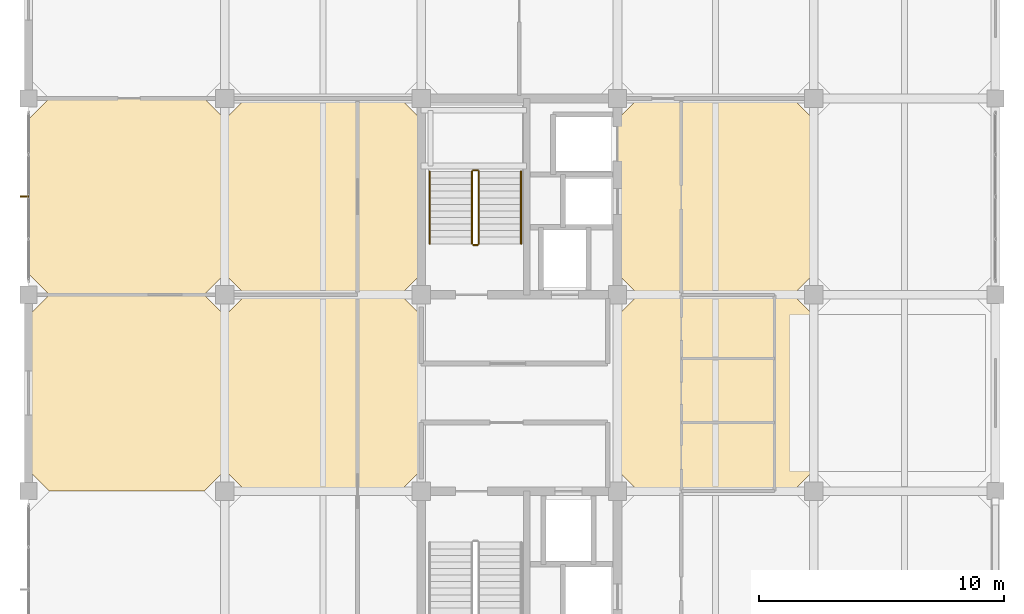
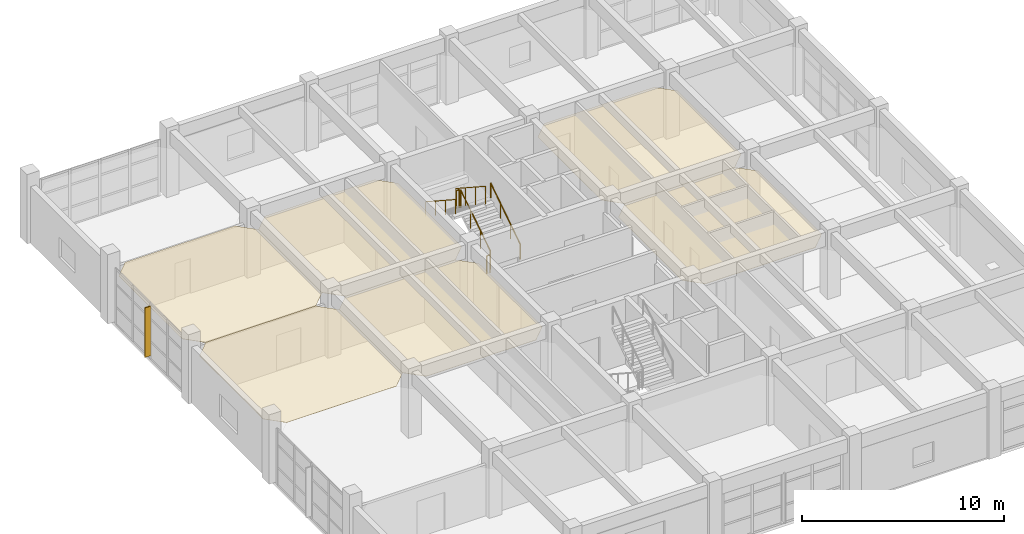
# One storey, part 25 of 27: 6 coverings, 6 railings, 1 shading device.
"""IFC4 building model written with IfcOpenShell, lengths in metres."""

from ifc_helpers import new_model, si_unit, direction, frame, origin, origin_2d, place, context, subcontext, project, spatial, polyline, rectangle, circle, outline, extrude, material, layer, layer_set, type_object, element, save


model = new_model("IFC4")

# Units and contexts
model_context = context("Model", 3, precision=1e-05, world=origin(), true_north=direction((0.0, 1.0)))
body_context = subcontext(model_context, "Body", "Model", "MODEL_VIEW")
ifc_project = project(units=[si_unit("LENGTHUNIT", "METRE"), si_unit("AREAUNIT", "SQUARE_METRE"), si_unit("VOLUMEUNIT", "CUBIC_METRE"), si_unit("PLANEANGLEUNIT", "RADIAN"), si_unit("MASSUNIT", "GRAM", prefix="KILO")], contexts=[model_context])

# Site, building, storey
site_placement = place(None, origin())
site = spatial("IfcSite", under=ifc_project, at=site_placement, CompositionType="ELEMENT")
building_placement = place(site_placement, origin())
building = spatial("IfcBuilding", under=site, at=building_placement, Name="Canggui Botanical Conservatory", CompositionType="ELEMENT")
storey_placement = place(building_placement, frame((0.0, 0.0, 36.0)))
storey = spatial("IfcBuildingStorey", under=building, at=storey_placement, Name="L09", CompositionType="ELEMENT", Elevation=36.0)

# Coverings
ifc_material_1 = material(Name="Mineral Fibre Acoustic Board")
ifc_layer_1 = layer(ifc_material_1, 0.014892578125, Name="Mineral Fibre Acoustic Board")
ifc_layer_set_1 = layer_set([ifc_layer_1], Name="Mineral Fibre Acoustic Board")
covering_type_1 = type_object("IfcCoveringType", Name="COV-CEIL-15", PredefinedType="CEILING", material=ifc_layer_set_1)
covering_1_placement = place(storey_placement, frame((0.0, 0.0, 3.094970703125)))
element("IfcCovering", 1, at=covering_1_placement, inside=storey, type_object=covering_type_1, Name="Suspended Acoustic Ceiling L09-138-50", PredefinedType="CEILING", context=body_context, shape_type="SweptSolid", body=[
    extrude(outline(polyline([(138.85009765625, 50.0), (145.14990234375, 50.0), (146.0, 50.85009765625), (146.0, 57.14990234375), (145.14990234375, 58.0), (138.85009765625, 58.0), (138.0, 57.14990234375), (138.0, 50.85009765625), (138.85009765625, 50.0)])), origin(), (0.0, 0.0, 1.0), 0.01513671875),
])
covering_2_placement = place(storey_placement, frame((0.0, 0.0, 3.094970703125)))
element("IfcCovering", 2, at=covering_2_placement, inside=storey, type_object=covering_type_1, Name="Suspended Acoustic Ceiling L09-146-58", PredefinedType="CEILING", context=body_context, shape_type="SweptSolid", body=[
    extrude(outline(polyline([(146.85009765625, 58.0), (153.14990234375, 58.0), (154.0, 58.85009765625), (154.0, 65.14990234375), (153.14990234375, 66.0), (146.85009765625, 66.0), (146.0, 65.14990234375), (146.0, 58.85009765625), (146.85009765625, 58.0)])), origin(), (0.0, 0.0, 1.0), 0.01513671875),
])
covering_3_placement = place(storey_placement, frame((0.0, 0.0, 3.094970703125)))
element("IfcCovering", 3, at=covering_3_placement, inside=storey, type_object=covering_type_1, Name="Suspended Acoustic Ceiling L09-162-58", PredefinedType="CEILING", context=body_context, shape_type="SweptSolid", body=[
    extrude(outline(polyline([(162.85009765625, 58.0), (169.14990234375, 58.0), (170.0, 58.85009765625), (170.0, 65.14990234375), (169.14990234375, 66.0), (162.85009765625, 66.0), (162.0, 65.14990234375), (162.0, 58.85009765625), (162.85009765625, 58.0)])), origin(), (0.0, 0.0, 1.0), 0.01513671875),
])
ifc_material_2 = material(Name="Perforated Gypsum Acoustic Panel")
ifc_layer_2 = layer(ifc_material_2, 0.02001953125, Name="Perforated Gypsum Acoustic Panel")
ifc_layer_set_2 = layer_set([ifc_layer_2], Name="Perforated Gypsum Acoustic Panel")
covering_type_2 = type_object("IfcCoveringType", Name="COV-CEIL-20", PredefinedType="CEILING", material=ifc_layer_set_2)
covering_4_placement = place(storey_placement, frame((0.0, 0.0, 3.090087890625)))
element("IfcCovering", 4, at=covering_4_placement, inside=storey, type_object=covering_type_2, Name="Suspended Acoustic Ceiling L09-138-58", PredefinedType="CEILING", context=body_context, shape_type="SweptSolid", body=[
    extrude(outline(polyline([(138.85009765625, 58.0), (145.14990234375, 58.0), (146.0, 58.85009765625), (146.0, 65.14990234375), (145.14990234375, 66.0), (138.85009765625, 66.0), (138.0, 65.14990234375), (138.0, 58.85009765625), (138.85009765625, 58.0)])), origin(), (0.0, 0.0, 1.0), 0.02001953125),
])
covering_5_placement = place(storey_placement, frame((0.0, 0.0, 3.090087890625)))
element("IfcCovering", 5, at=covering_5_placement, inside=storey, type_object=covering_type_2, Name="Suspended Acoustic Ceiling L09-146-50", PredefinedType="CEILING", context=body_context, shape_type="SweptSolid", body=[
    extrude(outline(polyline([(146.85009765625, 50.0), (153.14990234375, 50.0), (154.0, 50.85009765625), (154.0, 57.14990234375), (153.14990234375, 58.0), (146.85009765625, 58.0), (146.0, 57.14990234375), (146.0, 50.85009765625), (146.85009765625, 50.0)])), origin(), (0.0, 0.0, 1.0), 0.02001953125),
])
covering_6_placement = place(storey_placement, frame((0.0, 0.0, 3.090087890625)))
element("IfcCovering", 6, at=covering_6_placement, inside=storey, type_object=covering_type_2, Name="Suspended Acoustic Ceiling L09-162-50", PredefinedType="CEILING", context=body_context, shape_type="SweptSolid", body=[
    extrude(outline(polyline([(162.85009765625, 50.0), (169.14990234375, 50.0), (170.0, 50.85009765625), (170.0, 57.14990234375), (169.14990234375, 58.0), (162.85009765625, 58.0), (162.0, 57.14990234375), (162.0, 50.85009765625), (162.85009765625, 50.0)])), origin(), (0.0, 0.0, 1.0), 0.02001953125),
])

# Railings
ifc_material_3 = material(Name="Stainless Steel 304", Category="steel")
railing_type_1 = type_object("IfcRailingType", Name="RAIL-GUARD-1100", PredefinedType="BALUSTRADE", material=ifc_material_3)
railing_1_placement = place(storey_placement, frame((156.35009765625, 60.080078125, 0.175048828125)))
element("IfcRailing", 7, at=railing_1_placement, inside=storey, type_object=railing_type_1, Name="L09 ST-T2 stair guard 1", PredefinedType="BALUSTRADE", context=body_context, shape_type="SweptSolid", body=[
    extrude(circle(Radius=0.02392578125, at=origin_2d()), frame((0.0, 0.0, 1.076171875), z_axis=(0.0, 0.837293178872, 0.54675417933), x_axis=(-1.0, 0.0, 0.0)), (0.0, 0.0, 1.0), 3.520751953125),
    extrude(circle(Radius=0.02099609375, at=origin_2d()), origin(), (0.0, 0.0, 1.0), 1.052001953125),
    extrude(circle(Radius=0.02099609375, at=origin_2d()), frame((0.0, 0.982666015625, 0.6416015625)), (0.0, 0.0, 1.0), 1.052001953125),
    extrude(circle(Radius=0.02099609375, at=origin_2d()), frame((0.0, 1.96533203125, 1.283447265625)), (0.0, 0.0, 1.0), 1.052001953125),
    extrude(circle(Radius=0.02099609375, at=origin_2d()), frame((0.0, 2.947998046875, 1.925048828125)), (0.0, 0.0, 1.0), 1.052001953125),
])
railing_2_placement = place(storey_placement, frame((156.300048828125, 63.077880859375, 2.10009765625)))
element("IfcRailing", 8, at=railing_2_placement, inside=storey, type_object=railing_type_1, Name="L09 ST-T2 stair guard 2", PredefinedType="BALUSTRADE", context=body_context, shape_type="SweptSolid", body=[
    extrude(circle(Radius=0.02392578125, at=origin_2d()), frame((0.0, 0.0, 1.076171875), z_axis=(-1.0, 0.0, 0.0), x_axis=(0.0, -1.0, 0.0)), (0.0, 0.0, 1.0), 0.179931640625),
    extrude(circle(Radius=0.02099609375, at=origin_2d()), origin(), (0.0, 0.0, 1.0), 1.052001953125),
    extrude(circle(Radius=0.02099609375, at=origin_2d()), frame((-0.179931640625, 0.0, 0.0)), (0.0, 0.0, 1.0), 1.052001953125),
])
railing_3_placement = place(storey_placement, frame((156.070068359375, 63.028076171875, 2.27490234375)))
element("IfcRailing", 9, at=railing_3_placement, inside=storey, type_object=railing_type_1, Name="L09 ST-T2 stair guard 3", PredefinedType="BALUSTRADE", context=body_context, shape_type="SweptSolid", body=[
    extrude(circle(Radius=0.02392578125, at=origin_2d()), frame((0.0, 0.0, 1.076171875), z_axis=(0.0, -0.837293178872, 0.54675417933), x_axis=(1.0, 0.0, 0.0)), (0.0, 0.0, 1.0), 3.520751953125),
    extrude(circle(Radius=0.02099609375, at=origin_2d()), origin(), (0.0, 0.0, 1.0), 1.052001953125),
    extrude(circle(Radius=0.02099609375, at=origin_2d()), frame((0.0, -0.982666015625, 0.6416015625)), (0.0, 0.0, 1.0), 1.052001953125),
    extrude(circle(Radius=0.02099609375, at=origin_2d()), frame((0.0, -1.96533203125, 1.283447265625)), (0.0, 0.0, 1.0), 1.052001953125),
    extrude(circle(Radius=0.02099609375, at=origin_2d()), frame((0.0, -2.947998046875, 1.925048828125)), (0.0, 0.0, 1.0), 1.052001953125),
])
railing_4_placement = place(storey_placement, frame((156.300048828125, 60.030029296875, 0.0)))
element("IfcRailing", 10, at=railing_4_placement, inside=storey, type_object=railing_type_1, Name="L09 ST-T2 stair guard 4", PredefinedType="BALUSTRADE", context=body_context, shape_type="SweptSolid", body=[
    extrude(circle(Radius=0.02392578125, at=origin_2d()), frame((0.0, 0.0, 1.076171875), z_axis=(-1.0, 0.0, 0.0), x_axis=(0.0, -1.0, 0.0)), (0.0, 0.0, 1.0), 0.179931640625),
    extrude(circle(Radius=0.02099609375, at=origin_2d()), origin(), (0.0, 0.0, 1.0), 1.052001953125),
    extrude(circle(Radius=0.02099609375, at=origin_2d()), frame((-0.179931640625, 0.0, 0.0)), (0.0, 0.0, 1.0), 1.052001953125),
])
railing_type_2 = type_object("IfcRailingType", Name="RAIL-HAND-900", PredefinedType="HANDRAIL", material=ifc_material_3)
railing_5_placement = place(storey_placement, frame((158.070068359375, 60.080078125, 0.175048828125)))
element("IfcRailing", 11, at=railing_5_placement, inside=storey, type_object=railing_type_2, Name="L09 ST-T2 stair handrail 1", PredefinedType="HANDRAIL", context=body_context, shape_type="SweptSolid", body=[
    extrude(circle(Radius=0.02392578125, at=origin_2d()), frame((0.0, 0.0, 0.8759765625), z_axis=(0.0, 0.837293178872, 0.54675417933), x_axis=(-1.0, 0.0, 0.0)), (0.0, 0.0, 1.0), 3.520751953125),
    extrude(circle(Radius=0.02099609375, at=origin_2d()), origin(), (0.0, 0.0, 1.0), 0.851806640625),
    extrude(circle(Radius=0.02099609375, at=origin_2d()), frame((0.0, 0.982666015625, 0.6416015625)), (0.0, 0.0, 1.0), 0.851806640625),
    extrude(circle(Radius=0.02099609375, at=origin_2d()), frame((0.0, 1.96533203125, 1.283447265625)), (0.0, 0.0, 1.0), 0.851806640625),
    extrude(circle(Radius=0.02099609375, at=origin_2d()), frame((0.0, 2.947998046875, 1.925048828125)), (0.0, 0.0, 1.0), 0.851806640625),
])
railing_6_placement = place(storey_placement, frame((154.35009765625, 63.028076171875, 2.27490234375)))
element("IfcRailing", 12, at=railing_6_placement, inside=storey, type_object=railing_type_2, Name="L09 ST-T2 stair handrail 2", PredefinedType="HANDRAIL", context=body_context, shape_type="SweptSolid", body=[
    extrude(circle(Radius=0.02392578125, at=origin_2d()), frame((0.0, 0.0, 0.8759765625), z_axis=(0.0, -0.837293178872, 0.54675417933), x_axis=(1.0, 0.0, 0.0)), (0.0, 0.0, 1.0), 3.520751953125),
    extrude(circle(Radius=0.02099609375, at=origin_2d()), origin(), (0.0, 0.0, 1.0), 0.851806640625),
    extrude(circle(Radius=0.02099609375, at=origin_2d()), frame((0.0, -0.982666015625, 0.6416015625)), (0.0, 0.0, 1.0), 0.851806640625),
    extrude(circle(Radius=0.02099609375, at=origin_2d()), frame((0.0, -1.96533203125, 1.283447265625)), (0.0, 0.0, 1.0), 0.851806640625),
    extrude(circle(Radius=0.02099609375, at=origin_2d()), frame((0.0, -2.947998046875, 1.925048828125)), (0.0, 0.0, 1.0), 0.851806640625),
])

# Shading device
ifc_material_4 = material(Name="Anodised Aluminium", Category="aluminium")
shading_device_type = type_object("IfcShadingDeviceType", Name="SHD-FIN02", PredefinedType="AWNING", material=ifc_material_4)
shading_device_placement = place(storey_placement, frame((137.8349609375, 62.0, 0.199951171875), z_axis=(0.0, 0.0, 1.0), x_axis=(0.0, 1.0, 0.0)))
element("IfcShadingDevice", 13, at=shading_device_placement, inside=storey, type_object=shading_device_type, Name="Solar Shading Fin CW-TWR-L09-09", PredefinedType="AWNING", context=body_context, shape_type="SweptSolid", body=[
    extrude(rectangle(XDim=0.06005859375, YDim=0.360107421875, at=origin_2d()), origin(), (0.0, 0.0, 1.0), 3.0),
])

save(model, "model.ifc")
